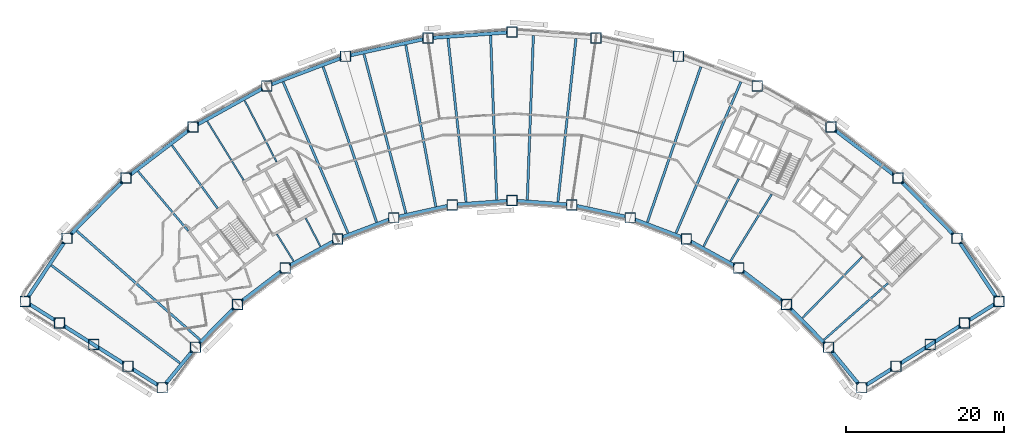
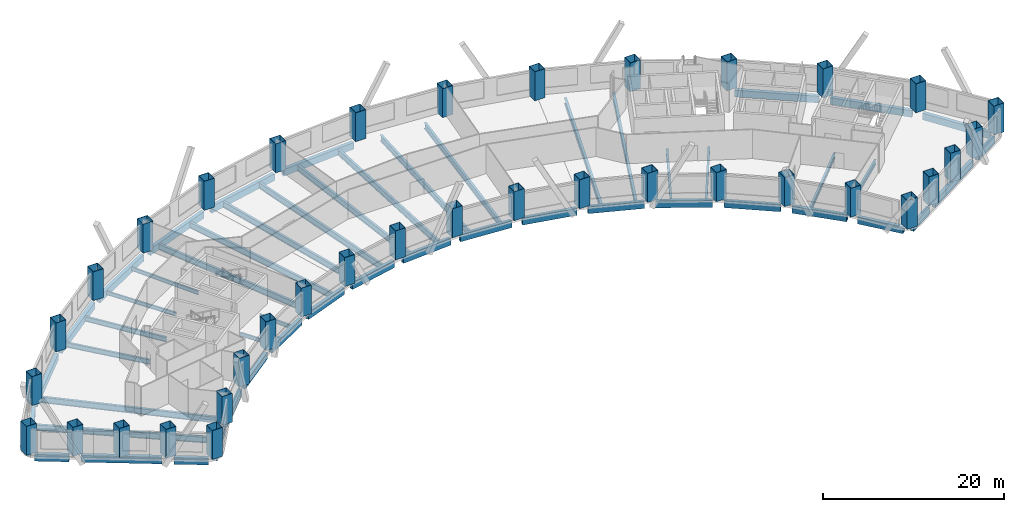
# One storey, part 1 of 11: 52 beams, 36 columns.
"""IFC4 building model written with IfcOpenShell, lengths in metres."""

import ifcopenshell
import ifcopenshell.guid

model = None  # the IFC model being written
_history = None  # IfcOwnerHistory: only IFC2X3 demands one
_inside = {}  # id of a spatial element -> (the spatial element, [elements in it])
_under = {}  # id of a project, library or spatial element -> (it, [spatial elements below it])
_declared = {}  # id of a project -> (the project, [libraries it declares])
_typed = {}  # id of a type object -> (the type object, [elements of that type])
_made_of = {}  # id of a material, layer set ... -> (it, [elements and type objects made of it])


def new_model(schema):
    """Start an empty IFC model of exactly this schema.

    Asked for "IFC4X3", IfcOpenShell would pick the latest addendum, in which some entities
    have other attributes; the version numbers below select the first issue.
    IFC2X3 requires an IfcOwnerHistory on every rooted entity: one is made here for all.
    """
    global model, _history
    if schema == "IFC4X3":
        model = ifcopenshell.file(schema_version=(4, 3, 0, 0))
    else:
        model = ifcopenshell.file(schema=schema)
    _inside.clear()
    _under.clear()
    _declared.clear()
    _typed.clear()
    _made_of.clear()
    _history = None
    if model.schema == "IFC2X3":
        org = make("IfcOrganization", Name="unknown")
        user = make(
            "IfcPersonAndOrganization",
            ThePerson=make("IfcPerson", FamilyName="unknown"),
            TheOrganization=org,
        )
        app = make(
            "IfcApplication",
            ApplicationDeveloper=org,
            Version="unknown",
            ApplicationFullName="unknown",
            ApplicationIdentifier="unknown",
        )
        _history = make(
            "IfcOwnerHistory",
            OwningUser=user,
            OwningApplication=app,
            ChangeAction="ADDED",
            CreationDate=0,
        )
    return model


def make(cls, **values):
    """One entity of the class cls with the attributes given. An attribute that is None is left unset."""
    return model.create_entity(
        cls, **{name: value for name, value in values.items() if value is not None}
    )


def rooted(cls, **values):
    """An entity with a GlobalId (a new one), such as an element, a storey or a relation."""
    return make(cls, GlobalId=ifcopenshell.guid.new(), OwnerHistory=_history, **values)


def si_unit(unit_type, name, prefix=None):
    """IfcSIUnit, for example si_unit("LENGTHUNIT", "METRE", prefix="MILLI")."""
    return make("IfcSIUnit", UnitType=unit_type, Prefix=prefix, Name=name)


def assignment(units):
    """IfcUnitAssignment: the units of a project."""
    return None if units is None else make("IfcUnitAssignment", Units=units)


def point(xyz):
    """IfcCartesianPoint."""
    return None if xyz is None else make("IfcCartesianPoint", Coordinates=xyz)


def direction(xyz):
    """IfcDirection."""
    return None if xyz is None else make("IfcDirection", DirectionRatios=xyz)


def frame(location, z_axis=None, x_axis=None):
    """IfcAxis2Placement3D, a coordinate frame: its origin and axes. An axis left out is left unset."""
    return make(
        "IfcAxis2Placement3D",
        Location=point(location),
        Axis=direction(z_axis),
        RefDirection=direction(x_axis),
    )


def frame_2d(location, x_axis=None):
    """IfcAxis2Placement2D, a coordinate frame in the plane: its origin and x axis."""
    return make(
        "IfcAxis2Placement2D", Location=point(location), RefDirection=direction(x_axis)
    )


def origin():
    """The frame at (0, 0, 0) with its axes left unset."""
    return frame((0.0, 0.0, 0.0))


def origin_2d():
    """The frame at (0, 0) in the plane with its x axis left unset."""
    return frame_2d((0.0, 0.0))


def place(relative_to, where):
    """IfcLocalPlacement: puts the frame where relative to a parent placement (None: the world)."""
    return make(
        "IfcLocalPlacement", PlacementRelTo=relative_to, RelativePlacement=where
    )


def context(
    kind, dimensions, precision=None, world=None, true_north=None, identifier=None
):
    """IfcGeometricRepresentationContext, for example the 3D "Model" context."""
    return make(
        "IfcGeometricRepresentationContext",
        ContextIdentifier=identifier,
        ContextType=kind,
        CoordinateSpaceDimension=dimensions,
        Precision=precision,
        WorldCoordinateSystem=world,
        TrueNorth=true_north,
    )


def subcontext(parent, identifier, kind, view, scale=None):
    """IfcGeometricRepresentationSubContext, for example "Body" below "Model"."""
    return make(
        "IfcGeometricRepresentationSubContext",
        ContextIdentifier=identifier,
        ContextType=kind,
        ParentContext=parent,
        TargetScale=scale,
        TargetView=view,
    )


def project(units=None, contexts=None):
    """IfcProject with its units and contexts."""
    return rooted(
        "IfcProject",
        Name="project",
        RepresentationContexts=contexts,
        UnitsInContext=assignment(units),
    )


def spatial(cls, under=None, at=None, **own):
    """A site, building, storey or space (cls), placed at a placement, below another one or the project."""
    s = rooted(cls, ObjectPlacement=at, **own)
    if under is not None:
        _under.setdefault(under.id(), (under, []))[1].append(s)
    return s


def profile(cls, at=None, kind="AREA", **sizes):
    """A parametric profile (cls). Its sizes go by their IFC names, for example OverallWidth=200.0."""
    return make(cls, ProfileType=kind, Position=at, **sizes)


def hollow_rectangle(**sizes):
    """IfcRectangleHollowProfileDef."""
    return profile("IfcRectangleHollowProfileDef", **sizes)


def i_section(**sizes):
    """IfcIShapeProfileDef."""
    return profile("IfcIShapeProfileDef", **sizes)


def extrude(swept, where, along, depth):
    """IfcExtrudedAreaSolid: the profile swept, set in the frame where, extruded along a direction by depth."""
    return make(
        "IfcExtrudedAreaSolid",
        SweptArea=swept,
        Position=where,
        ExtrudedDirection=direction(along),
        Depth=depth,
    )


def shape(context_of_items, identifier, shape_type, items):
    """IfcShapeRepresentation: the items that make up one representation, for example the "Body"."""
    return make(
        "IfcShapeRepresentation",
        ContextOfItems=context_of_items,
        RepresentationIdentifier=identifier,
        RepresentationType=shape_type,
        Items=items,
    )


def material(Name=None, Category=None):
    """IfcMaterial."""
    return make("IfcMaterial", Name=Name, Category=Category)


def material_profile(
    of_material, cross_section, Name=None, Category=None, Priority=None
):
    """IfcMaterialProfile: a cross section and its material."""
    return make(
        "IfcMaterialProfile",
        Name=Name,
        Material=of_material,
        Profile=cross_section,
        Priority=Priority,
        Category=Category,
    )


def profile_set(profiles, Name=None, composite=None):
    """IfcMaterialProfileSet."""
    return make(
        "IfcMaterialProfileSet",
        Name=Name,
        MaterialProfiles=profiles,
        CompositeProfile=composite,
    )


def made_of(thing, what):
    """Note that an element or type object is made of a material, layer set ...; save() writes the relation."""
    if what is not None:
        _made_of.setdefault(what.id(), (what, []))[1].append(thing)
    return thing


def type_object(cls, material=None, **own):
    """A type object (cls), such as IfcWallType, which elements share."""
    return made_of(rooted(cls, **own), material)


def element(
    cls,
    number,
    at=None,
    inside=None,
    cuts=None,
    type_object=None,
    material=None,
    context=None,
    identifier="Body",
    shape_type=None,
    held_by="IfcProductDefinitionShape",
    body=None,
    shapes=None,
    **own,
):
    """One element of the class cls, such as IfcWall. Its Tag is "e" and its number.

    at: its placement. inside: the storey or other place that contains it. cuts: it is an
    opening in that element (IfcRelVoidsElement). A single representation is given by context,
    identifier, shape_type and body (its items); several are given by shapes. held_by: the class
    of the entity that holds the representations. save() writes the other relations.
    """
    e = rooted(cls, Tag="e%d" % number, ObjectPlacement=at, **own)
    if body is not None:
        shapes = [shape(context, identifier, shape_type, body)]
    if shapes is not None:
        e.Representation = make(held_by, Representations=shapes)
    if inside is not None:
        _inside.setdefault(inside.id(), (inside, []))[1].append(e)
    if cuts is not None:
        rooted(
            "IfcRelVoidsElement", RelatingBuildingElement=cuts, RelatedOpeningElement=e
        )
    if type_object is not None:
        _typed.setdefault(type_object.id(), (type_object, []))[1].append(e)
    return made_of(e, material)


def aggregate(whole, parts):
    """IfcRelAggregates: a whole, such as a stair, and the parts it consists of."""
    return rooted("IfcRelAggregates", RelatingObject=whole, RelatedObjects=parts)


def save(model, path):
    """Write the relations noted so far, then the file.

    IfcRelAggregates (storeys below a building ...), IfcRelContainedInSpatialStructure (elements
    in a storey), IfcRelDefinesByType, IfcRelAssociatesMaterial and IfcRelDeclares: one each for
    every whole, place, type object, material and project.
    """
    for whole, parts in _under.values():
        aggregate(whole, parts)
    for where, things in _inside.values():
        rooted(
            "IfcRelContainedInSpatialStructure",
            RelatedElements=things,
            RelatingStructure=where,
        )
    for kind, things in _typed.values():
        rooted("IfcRelDefinesByType", RelatedObjects=things, RelatingType=kind)
    for what, things in _made_of.values():
        rooted("IfcRelAssociatesMaterial", RelatedObjects=things, RelatingMaterial=what)
    for by, libraries in _declared.values():
        rooted("IfcRelDeclares", RelatingContext=by, RelatedDefinitions=libraries)
    model.write(path)


model = new_model("IFC4")

# Units and contexts
model_context = context("Model", 3, precision=1e-05, world=origin(), true_north=direction((0.0, 1.0)))
body_context = subcontext(model_context, "Body", "Model", "MODEL_VIEW")
ifc_project = project(units=[si_unit("LENGTHUNIT", "METRE"), si_unit("AREAUNIT", "SQUARE_METRE"), si_unit("VOLUMEUNIT", "CUBIC_METRE"), si_unit("PLANEANGLEUNIT", "RADIAN"), si_unit("MASSUNIT", "GRAM", prefix="KILO")], contexts=[model_context])

# Site, building, storey
site_placement = place(None, origin())
site = spatial("IfcSite", under=ifc_project, at=site_placement, CompositionType="ELEMENT")
building_placement = place(site_placement, origin())
building = spatial("IfcBuilding", under=site, at=building_placement, Name="Tuul Gate Civic Tower", CompositionType="ELEMENT")
storey_placement = place(building_placement, frame((0.0, 0.0, 39.89990234375)))
storey = spatial("IfcBuildingStorey", under=building, at=storey_placement, Name="Level 08", CompositionType="ELEMENT", Elevation=39.89990234375)

# Columns
ifc_material_1 = material(Name="Steel S355", Category="steel")
ifc_material_profile_1 = material_profile(ifc_material_1, hollow_rectangle(XDim=1.300048828125, YDim=1.300048828125, WallThickness=0.0400390625, at=origin_2d()), Name="BOX1300x1300x40")
ifc_profile_set_1 = profile_set([ifc_material_profile_1], Name="Steel S355")
column_type = type_object("IfcColumnType", Name="STR-COLUMN-BOX1300x1300x40", PredefinedType="COLUMN", material=ifc_profile_set_1)
for number, where, z_axis, x_axis, name in (
    (1, (61.6708984375, -20.22998046875, 0.0), (0.0, 0.0, 1.0), (1.0, 0.0, 0.0), "Column"),
    (2, (56.3720703125, -12.217041015625, 0.0), (0.0, 0.0, 1.0), (1.0, 0.0, 0.0), "Column"),
    (3, (48.89794921875, -4.592041015625, 0.0), (0.0, 0.0, 1.0), (1.0, 0.0, 0.0), "Column"),
    (4, (40.402099609375, 1.8759765625, 0.0), (0.0, 0.0, 1.0), (1.0, 0.0, 0.0), "Column"),
    (5, (31.06396484375, 7.052001953125, 0.0), (0.0, 0.0, 1.0), (1.0, 0.0, 0.0), "Column"),
    (6, (21.076904296875, 10.8291015625, 0.0), (0.0, 0.0, 1.0), (1.0, 0.0, 0.0), "Column"),
    (7, (10.64892578125, 13.126953125, 0.0), (0.0, 0.0, 1.0), (1.0, 0.0, 0.0), "Column"),
    (8, (0.0, 13.89794921875, 0.0), (0.0, 0.0, 1.0), (1.0, 0.0, 0.0), "Column"),
    (9, (-10.64892578125, 13.126953125, 0.0), (0.0, 0.0, 1.0), (1.0, 0.0, 0.0), "Column"),
    (10, (-21.076904296875, 10.8291015625, 0.0), (0.0, 0.0, 1.0), (1.0, 0.0, 0.0), "Column"),
    (11, (-31.06396484375, 7.052001953125, 0.0), (0.0, 0.0, 1.0), (1.0, 0.0, 0.0), "Column"),
    (12, (-40.402099609375, 1.8759765625, 0.0), (0.0, 0.0, 1.0), (1.0, 0.0, 0.0), "Column"),
    (13, (-48.89794921875, -4.592041015625, 0.0), (0.0, 0.0, 1.0), (1.0, 0.0, 0.0), "Column"),
    (14, (-56.3720703125, -12.217041015625, 0.0), (0.0, 0.0, 1.0), (1.0, 0.0, 0.0), "Column"),
    (15, (-61.6708984375, -20.22998046875, 0.0), (0.0, 0.0, 1.0), (1.0, 0.0, 0.0), "Column"),
    (16, (-57.327880859375, -22.964111328125, 0.0), (0.0, 0.0, 1.0), (1.0, 0.0, 0.0), "Column"),
    (17, (-52.986083984375, -25.698974609375, 0.0), (0.0, 0.0, 1.0), (1.0, 0.0, 0.0), "Column"),
    (18, (-48.64306640625, -28.43408203125, 0.0), (0.0, 0.0, 1.0), (1.0, 0.0, 0.0), "Column"),
    (19, (-44.301025390625, -31.16796875, 0.0), (0.0, 0.0, 1.0), (1.0, 0.0, 0.0), "Column"),
    (20, (-40.0810546875, -26.02587890625, 0.0), (0.0, 0.0, 1.0), (1.0, 0.0, 0.0), "Column"),
    (21, (-34.76708984375, -20.60498046875, 0.0), (0.0, 0.0, 1.0), (1.0, 0.0, 0.0), "Column"),
    (22, (-28.72705078125, -16.006103515625, 0.0), (0.0, 0.0, 1.0), (1.0, 0.0, 0.0), "Column"),
    (23, (-22.0869140625, -12.324951171875, 0.0), (0.0, 0.0, 1.0), (1.0, 0.0, 0.0), "Column"),
    (24, (-14.986083984375, -9.639892578125, 0.0), (0.0, 0.0, 1.0), (1.0, 0.0, 0.0), "Column"),
    (25, (-7.572021484375, -8.006103515625, 0.0), (0.0, 0.0, 1.0), (1.0, 0.0, 0.0), "Column"),
    (26, (0.0, -7.45703125, 0.0), (0.0, 0.0, 1.0), (1.0, 0.0, 0.0), "Column"),
    (27, (7.572021484375, -8.006103515625, 0.0), (0.0, 0.0, 1.0), (1.0, 0.0, 0.0), "Column"),
    (28, (14.986083984375, -9.639892578125, 0.0), (0.0, 0.0, 1.0), (1.0, 0.0, 0.0), "Column"),
    (29, (22.0869140625, -12.324951171875, 0.0), (0.0, 0.0, 1.0), (1.0, 0.0, 0.0), "Column"),
    (30, (28.72705078125, -16.006103515625, 0.0), (0.0, 0.0, 1.0), (1.0, 0.0, 0.0), "Column"),
    (31, (34.76708984375, -20.60498046875, 0.0), (0.0, 0.0, 1.0), (1.0, 0.0, 0.0), "Column"),
    (32, (40.0810546875, -26.02587890625, 0.0), (0.0, 0.0, 1.0), (1.0, 0.0, 0.0), "Column"),
    (33, (44.301025390625, -31.16796875, 0.0), (0.0, 0.0, 1.0), (1.0, 0.0, 0.0), "Column"),
    (34, (48.64306640625, -28.43408203125, 0.0), (0.0, 0.0, 1.0), (1.0, 0.0, 0.0), "Column"),
    (35, (52.986083984375, -25.698974609375, 0.0), (0.0, 0.0, 1.0), (1.0, 0.0, 0.0), "Column"),
    (36, (57.327880859375, -22.964111328125, 0.0), (0.0, 0.0, 1.0), (1.0, 0.0, 0.0), "Column"),
):
    element("IfcColumn", number, at=place(storey_placement, frame(where, z_axis=z_axis, x_axis=x_axis)), inside=storey, type_object=column_type, Name=name, PredefinedType="COLUMN", context=body_context, shape_type="SweptSolid", body=[
        extrude(hollow_rectangle(XDim=1.300048828125, YDim=1.300048828125, WallThickness=0.0400390625, at=origin_2d()), origin(), (0.0, 0.0, 1.0), 3.900146484375),
    ])

# Beams
ifc_material_2 = material(Name="Steel S355", Category="steel")
ifc_material_profile_2 = material_profile(ifc_material_2, i_section(OverallWidth=0.199951171875, OverallDepth=0.5, WebThickness=0.010009765625, FlangeThickness=0.01611328125, at=origin_2d()), Name="PG500x200x10x16")
ifc_profile_set_2 = profile_set([ifc_material_profile_2], Name="Steel S355")
beam_type_1 = type_object("IfcBeamType", Name="STR-FLOOR BEAM-PG500x200x10x16", PredefinedType="BEAM", material=ifc_profile_set_2)
beam_1_placement = place(storey_placement, frame((-24.271484375, -13.25, -0.5498046875), z_axis=(-0.460753800017, 0.887527991541, 0.0), x_axis=(-0.887527991541, -0.460753800017, 0.0)))
element("IfcBeam", 37, at=beam_1_placement, inside=storey, type_object=beam_type_1, Name="Floor beam", PredefinedType="BEAM", context=body_context, shape_type="SweptSolid", body=[
    extrude(i_section(OverallWidth=0.199951171875, OverallDepth=0.5, WebThickness=0.010009765625, FlangeThickness=0.01611328125, at=origin_2d()), origin(), (0.0, 0.0, 1.0), 4.03076171875),
])
beam_2_placement = place(storey_placement, frame((-29.816162109375, -2.570068359375, -0.5498046875), z_axis=(-0.460796303888, 0.887505924669, 0.0), x_axis=(-0.887505924669, -0.460796303888, 0.0)))
element("IfcBeam", 38, at=beam_2_placement, inside=storey, type_object=beam_type_1, Name="Floor beam", PredefinedType="BEAM", context=body_context, shape_type="SweptSolid", body=[
    extrude(i_section(OverallWidth=0.199951171875, OverallDepth=0.5, WebThickness=0.010009765625, FlangeThickness=0.01611328125, at=origin_2d()), origin(), (0.0, 0.0, 1.0), 8.77392578125),
])
beam_3_placement = place(storey_placement, frame((-27.666015625, -15.132080078125, -0.5498046875), z_axis=(-0.52482658642, 0.851209171818, 0.0), x_axis=(-0.851209171818, -0.52482658642, 0.0)))
element("IfcBeam", 39, at=beam_3_placement, inside=storey, type_object=beam_type_1, Name="Floor beam", PredefinedType="BEAM", context=body_context, shape_type="SweptSolid", body=[
    extrude(i_section(OverallWidth=0.199951171875, OverallDepth=0.5, WebThickness=0.010009765625, FlangeThickness=0.01611328125, at=origin_2d()), origin(), (0.0, 0.0, 1.0), 4.0341796875),
])
beam_4_placement = place(storey_placement, frame((-33.986572265625, -4.881591796875, -0.5498046875), z_axis=(-0.524852775892, 0.851193023725, 0.0), x_axis=(-0.851193023725, -0.524852775892, 0.0)))
element("IfcBeam", 40, at=beam_4_placement, inside=storey, type_object=beam_type_1, Name="Floor beam", PredefinedType="BEAM", context=body_context, shape_type="SweptSolid", body=[
    extrude(i_section(OverallWidth=0.199951171875, OverallDepth=0.5, WebThickness=0.010009765625, FlangeThickness=0.01611328125, at=origin_2d()), origin(), (0.0, 0.0, 1.0), 8.77978515625),
])
ifc_material_3 = material(Name="Steel S355", Category="steel")
ifc_material_profile_3 = material_profile(ifc_material_3, i_section(OverallWidth=0.25, OverallDepth=0.64990234375, WebThickness=0.011962890625, FlangeThickness=0.02001953125, at=origin_2d()), Name="PG650x250x12x20")
ifc_profile_set_3 = profile_set([ifc_material_profile_3], Name="Steel S355")
beam_type_2 = type_object("IfcBeamType", Name="STR-FLOOR BEAM-PG650x250x12x20", PredefinedType="BEAM", material=ifc_profile_set_3)
beam_5_placement = place(storey_placement, frame((39.515625, -25.092041015625, -0.625), z_axis=(0.749453803996, 0.662056640836, 0.0), x_axis=(-0.662056640836, 0.749453803996, 0.0)))
element("IfcBeam", 41, at=beam_5_placement, inside=storey, type_object=beam_type_2, Name="Floor beam", PredefinedType="BEAM", context=body_context, shape_type="SweptSolid", body=[
    extrude(i_section(OverallWidth=0.25, OverallDepth=0.64990234375, WebThickness=0.011962890625, FlangeThickness=0.02001953125, at=origin_2d()), origin(), (0.0, 0.0, 1.0), 10.819091796875),
])
beam_6_placement = place(storey_placement, frame((36.79833984375, -22.320068359375, -0.625), z_axis=(0.69867607041, 0.71543815151, 0.0), x_axis=(-0.71543815151, 0.69867607041, 0.0)))
element("IfcBeam", 42, at=beam_6_placement, inside=storey, type_object=beam_type_2, Name="Floor beam", PredefinedType="BEAM", context=body_context, shape_type="SweptSolid", body=[
    extrude(i_section(OverallWidth=0.25, OverallDepth=0.64990234375, WebThickness=0.011962890625, FlangeThickness=0.02001953125, at=origin_2d()), origin(), (0.0, 0.0, 1.0), 10.807373046875),
])
beam_7_placement = place(storey_placement, frame((27.666015625, -15.132080078125, -0.625), z_axis=(0.524860290861, 0.851188389886, 0.0), x_axis=(-0.851188389886, 0.524860290861, 0.0)))
element("IfcBeam", 43, at=beam_7_placement, inside=storey, type_object=beam_type_2, Name="Floor beam", PredefinedType="BEAM", context=body_context, shape_type="SweptSolid", body=[
    extrude(i_section(OverallWidth=0.25, OverallDepth=0.64990234375, WebThickness=0.011962890625, FlangeThickness=0.02001953125, at=origin_2d()), origin(), (0.0, 0.0, 1.0), 9.960693359375),
])
beam_8_placement = place(storey_placement, frame((24.271484375, -13.25, -0.625), z_axis=(0.460769194318, 0.887519999531, 0.0), x_axis=(-0.887519999531, 0.460769194318, 0.0)))
element("IfcBeam", 44, at=beam_8_placement, inside=storey, type_object=beam_type_2, Name="Floor beam", PredefinedType="BEAM", context=body_context, shape_type="SweptSolid", body=[
    extrude(i_section(OverallWidth=0.25, OverallDepth=0.64990234375, WebThickness=0.011962890625, FlangeThickness=0.02001953125, at=origin_2d()), origin(), (0.0, 0.0, 1.0), 9.631103515625),
])
beam_9_placement = place(storey_placement, frame((-37.289794921875, -8.447265625, -0.625), z_axis=(-0.586084828099, 0.810249698717, 0.0), x_axis=(-0.810249698717, -0.586084828099, 0.0)))
element("IfcBeam", 45, at=beam_9_placement, inside=storey, type_object=beam_type_2, Name="Floor beam", PredefinedType="BEAM", context=body_context, shape_type="SweptSolid", body=[
    extrude(i_section(OverallWidth=0.25, OverallDepth=0.64990234375, WebThickness=0.011962890625, FlangeThickness=0.02001953125, at=origin_2d()), origin(), (0.0, 0.0, 1.0), 9.85205078125),
])
beam_10_placement = place(storey_placement, frame((-41.0205078125, -11.28759765625, -0.625), z_axis=(-0.64412583455, 0.764919544308, 0.0), x_axis=(-0.764919544308, -0.64412583455, 0.0)))
element("IfcBeam", 46, at=beam_10_placement, inside=storey, type_object=beam_type_2, Name="Floor beam", PredefinedType="BEAM", context=body_context, shape_type="SweptSolid", body=[
    extrude(i_section(OverallWidth=0.25, OverallDepth=0.64990234375, WebThickness=0.011962890625, FlangeThickness=0.02001953125, at=origin_2d()), origin(), (0.0, 0.0, 1.0), 9.861083984375),
])
ifc_material_4 = material(Name="Steel S355", Category="steel")
ifc_material_profile_4 = material_profile(ifc_material_4, i_section(OverallWidth=0.300048828125, OverallDepth=0.800048828125, WebThickness=0.013916015625, FlangeThickness=0.02490234375, at=origin_2d()), Name="PG800x300x14x25")
ifc_profile_set_4 = profile_set([ifc_material_profile_4], Name="Steel S355")
beam_type_3 = type_object("IfcBeamType", Name="STR-FLOOR BEAM-PG800x300x14x25", PredefinedType="BEAM", material=ifc_profile_set_4)
beam_11_placement = place(storey_placement, frame((20.776611328125, -11.562255859375, -0.699951171875), z_axis=(0.394196672068, 0.91902610612, 0.0), x_axis=(-0.91902610612, 0.394196672068, 0.0)))
element("IfcBeam", 47, at=beam_11_placement, inside=storey, type_object=beam_type_3, Name="Floor beam", PredefinedType="BEAM", context=body_context, shape_type="SweptSolid", body=[
    extrude(i_section(OverallWidth=0.300048828125, OverallDepth=0.800048828125, WebThickness=0.013916015625, FlangeThickness=0.02490234375, at=origin_2d()), origin(), (0.0, 0.0, 1.0), 20.819580078125),
])
beam_12_placement = place(storey_placement, frame((17.146240234375, -10.189453125, -0.699951171875), z_axis=(0.325486974479, 0.945546524209, 0.0), x_axis=(-0.945546524209, 0.325486974479, 0.0)))
element("IfcBeam", 48, at=beam_12_placement, inside=storey, type_object=beam_type_3, Name="Floor beam", PredefinedType="BEAM", context=body_context, shape_type="SweptSolid", body=[
    extrude(i_section(OverallWidth=0.300048828125, OverallDepth=0.800048828125, WebThickness=0.013916015625, FlangeThickness=0.02490234375, at=origin_2d()), origin(), (0.0, 0.0, 1.0), 20.809326171875),
])
beam_13_placement = place(storey_placement, frame((5.811279296875, -7.627685546875, -0.699951171875), z_axis=(0.110288630292, 0.993899601584, 0.0), x_axis=(-0.993899601584, 0.110288630292, 0.0)))
element("IfcBeam", 49, at=beam_13_placement, inside=storey, type_object=beam_type_3, Name="Floor beam", PredefinedType="BEAM", context=body_context, shape_type="SweptSolid", body=[
    extrude(i_section(OverallWidth=0.300048828125, OverallDepth=0.800048828125, WebThickness=0.013916015625, FlangeThickness=0.02490234375, at=origin_2d()), origin(), (0.0, 0.0, 1.0), 20.81494140625),
])
for number, where, z_axis, x_axis, name in (
    (50, (1.9404296875, -7.346923828125, -0.699951171875), (0.036822059508, 0.999321838015, 0.0), (-0.999321838015, 0.036822059508, 0.0), "Floor beam"),
    (51, (-1.9404296875, -7.346923828125, -0.699951171875), (-0.036822059508, 0.999321838015, 0.0), (-0.999321838015, -0.036822059508, 0.0), "Floor beam"),
):
    element("IfcBeam", number, at=place(storey_placement, frame(where, z_axis=z_axis, x_axis=x_axis)), inside=storey, type_object=beam_type_3, Name=name, PredefinedType="BEAM", context=body_context, shape_type="SweptSolid", body=[
        extrude(i_section(OverallWidth=0.300048828125, OverallDepth=0.800048828125, WebThickness=0.013916015625, FlangeThickness=0.02490234375, at=origin_2d()), origin(), (0.0, 0.0, 1.0), 20.8125),
    ])
beam_14_placement = place(storey_placement, frame((-5.811279296875, -7.627685546875, -0.699951171875), z_axis=(-0.110288630292, 0.993899601584, 0.0), x_axis=(-0.993899601584, -0.110288630292, 0.0)))
element("IfcBeam", 52, at=beam_14_placement, inside=storey, type_object=beam_type_3, Name="Floor beam", PredefinedType="BEAM", context=body_context, shape_type="SweptSolid", body=[
    extrude(i_section(OverallWidth=0.300048828125, OverallDepth=0.800048828125, WebThickness=0.013916015625, FlangeThickness=0.02490234375, at=origin_2d()), origin(), (0.0, 0.0, 1.0), 20.81494140625),
])
beam_15_placement = place(storey_placement, frame((-9.6484375, -8.207763671875, -0.699951171875), z_axis=(-0.183147342328, 0.98308547492, 0.0), x_axis=(-0.98308547492, -0.183147342328, 0.0)))
element("IfcBeam", 53, at=beam_15_placement, inside=storey, type_object=beam_type_3, Name="Floor beam", PredefinedType="BEAM", context=body_context, shape_type="SweptSolid", body=[
    extrude(i_section(OverallWidth=0.300048828125, OverallDepth=0.800048828125, WebThickness=0.013916015625, FlangeThickness=0.02490234375, at=origin_2d()), origin(), (0.0, 0.0, 1.0), 20.811279296875),
])
beam_16_placement = place(storey_placement, frame((-13.438720703125, -9.04296875, -0.699951171875), z_axis=(-0.255004720301, 0.96693980817, 0.0), x_axis=(-0.96693980817, -0.255004720301, 0.0)))
element("IfcBeam", 54, at=beam_16_placement, inside=storey, type_object=beam_type_3, Name="Floor beam", PredefinedType="BEAM", context=body_context, shape_type="SweptSolid", body=[
    extrude(i_section(OverallWidth=0.300048828125, OverallDepth=0.800048828125, WebThickness=0.013916015625, FlangeThickness=0.02490234375, at=origin_2d()), origin(), (0.0, 0.0, 1.0), 20.817626953125),
])
beam_17_placement = place(storey_placement, frame((-17.146240234375, -10.189453125, -0.699951171875), z_axis=(-0.325486974479, 0.945546524209, 0.0), x_axis=(-0.945546524209, -0.325486974479, 0.0)))
element("IfcBeam", 55, at=beam_17_placement, inside=storey, type_object=beam_type_3, Name="Floor beam", PredefinedType="BEAM", context=body_context, shape_type="SweptSolid", body=[
    extrude(i_section(OverallWidth=0.300048828125, OverallDepth=0.800048828125, WebThickness=0.013916015625, FlangeThickness=0.02490234375, at=origin_2d()), origin(), (0.0, 0.0, 1.0), 20.809326171875),
])
beam_18_placement = place(storey_placement, frame((-20.776611328125, -11.562255859375, -0.699951171875), z_axis=(-0.394196672068, 0.91902610612, 0.0), x_axis=(-0.91902610612, -0.394196672068, 0.0)))
element("IfcBeam", 56, at=beam_18_placement, inside=storey, type_object=beam_type_3, Name="Floor beam", PredefinedType="BEAM", context=body_context, shape_type="SweptSolid", body=[
    extrude(i_section(OverallWidth=0.300048828125, OverallDepth=0.800048828125, WebThickness=0.013916015625, FlangeThickness=0.02490234375, at=origin_2d()), origin(), (0.0, 0.0, 1.0), 20.819580078125),
])
beam_19_placement = place(storey_placement, frame((-39.515625, -25.092041015625, -0.699951171875), z_axis=(-0.749453243269, 0.662057275584, 0.0), x_axis=(-0.662057275584, -0.749453243269, 0.0)))
element("IfcBeam", 57, at=beam_19_placement, inside=storey, type_object=beam_type_3, Name="Floor beam", PredefinedType="BEAM", context=body_context, shape_type="SweptSolid", body=[
    extrude(i_section(OverallWidth=0.300048828125, OverallDepth=0.800048828125, WebThickness=0.013916015625, FlangeThickness=0.02490234375, at=origin_2d()), origin(), (0.0, 0.0, 1.0), 20.828369140625),
])
beam_20_placement = place(storey_placement, frame((-42.0546875, -28.036865234375, -0.699951171875), z_axis=(-0.796150928405, 0.60509809056, 0.0), x_axis=(-0.60509809056, -0.796150928405, 0.0)))
element("IfcBeam", 58, at=beam_20_placement, inside=storey, type_object=beam_type_3, Name="Floor beam", PredefinedType="BEAM", context=body_context, shape_type="SweptSolid", body=[
    extrude(i_section(OverallWidth=0.300048828125, OverallDepth=0.800048828125, WebThickness=0.013916015625, FlangeThickness=0.02490234375, at=origin_2d()), origin(), (0.0, 0.0, 1.0), 20.462646484375),
])
ifc_material_5 = material(Name="Steel S355", Category="steel")
ifc_material_profile_5 = material_profile(ifc_material_5, hollow_rectangle(XDim=0.449951171875, YDim=0.89990234375, WallThickness=0.02490234375, at=origin_2d()), Name="BOX900x450x25")
ifc_profile_set_5 = profile_set([ifc_material_profile_5], Name="Steel S355")
beam_type_4 = type_object("IfcBeamType", Name="STR-SPANDREL BEAM-BOX900x450x25", PredefinedType="BEAM", material=ifc_profile_set_5)
beam_21_placement = place(storey_placement, frame((61.3125, -19.687744140625, -0.75), z_axis=(-0.551617087086, 0.834097469865, 0.0), x_axis=(-0.834097469865, -0.551617087086, 0.0)))
element("IfcBeam", 59, at=beam_21_placement, inside=storey, type_object=beam_type_4, Name="Spandrel beam", PredefinedType="BEAM", context=body_context, shape_type="SweptSolid", body=[
    extrude(hollow_rectangle(XDim=0.449951171875, YDim=0.89990234375, WallThickness=0.02490234375, at=origin_2d()), origin(), (0.0, 0.0, 1.0), 8.306640625),
])
beam_22_placement = place(storey_placement, frame((55.9169921875, -11.752685546875, -0.75), z_axis=(-0.700002686238, 0.714140209805, 0.0), x_axis=(-0.714140209805, -0.700002686238, 0.0)))
element("IfcBeam", 60, at=beam_22_placement, inside=storey, type_object=beam_type_4, Name="Spandrel beam", PredefinedType="BEAM", context=body_context, shape_type="SweptSolid", body=[
    extrude(hollow_rectangle(XDim=0.449951171875, YDim=0.89990234375, WallThickness=0.02490234375, at=origin_2d()), origin(), (0.0, 0.0, 1.0), 9.376953125),
])
beam_23_placement = place(storey_placement, frame((48.380859375, -4.1982421875, -0.75), z_axis=(-0.795671303352, 0.605728633154, 0.0), x_axis=(-0.605728633154, -0.795671303352, 0.0)))
element("IfcBeam", 61, at=beam_23_placement, inside=storey, type_object=beam_type_4, Name="Spandrel beam", PredefinedType="BEAM", context=body_context, shape_type="SweptSolid", body=[
    extrude(hollow_rectangle(XDim=0.449951171875, YDim=0.89990234375, WallThickness=0.02490234375, at=origin_2d()), origin(), (0.0, 0.0, 1.0), 9.3779296875),
])
beam_24_placement = place(storey_placement, frame((-0.648193359375, 13.85107421875, -0.75), z_axis=(-0.997388439542, -0.072223961869, 0.0), x_axis=(0.072223961869, -0.997388439542, 0.0)))
element("IfcBeam", 62, at=beam_24_placement, inside=storey, type_object=beam_type_4, Name="Spandrel beam", PredefinedType="BEAM", context=body_context, shape_type="SweptSolid", body=[
    extrude(hollow_rectangle(XDim=0.449951171875, YDim=0.89990234375, WallThickness=0.02490234375, at=origin_2d()), origin(), (0.0, 0.0, 1.0), 9.376953125),
])
beam_25_placement = place(storey_placement, frame((-11.28369140625, 12.987060546875, -0.75), z_axis=(-0.976572630495, -0.215188051174, 0.0), x_axis=(0.215188051174, -0.976572630495, 0.0)))
element("IfcBeam", 63, at=beam_25_placement, inside=storey, type_object=beam_type_4, Name="Spandrel beam", PredefinedType="BEAM", context=body_context, shape_type="SweptSolid", body=[
    extrude(hollow_rectangle(XDim=0.449951171875, YDim=0.89990234375, WallThickness=0.02490234375, at=origin_2d()), origin(), (0.0, 0.0, 1.0), 9.378173828125),
])
beam_26_placement = place(storey_placement, frame((-21.68505859375, 10.59912109375, -0.75), z_axis=(-0.935343306637, -0.353741287849, 0.0), x_axis=(0.353741287849, -0.935343306637, 0.0)))
element("IfcBeam", 64, at=beam_26_placement, inside=storey, type_object=beam_type_4, Name="Spandrel beam", PredefinedType="BEAM", context=body_context, shape_type="SweptSolid", body=[
    extrude(hollow_rectangle(XDim=0.449951171875, YDim=0.89990234375, WallThickness=0.02490234375, at=origin_2d()), origin(), (0.0, 0.0, 1.0), 9.377197265625),
])
beam_27_placement = place(storey_placement, frame((-31.632568359375, 6.73681640625, -0.75), z_axis=(-0.874628488078, -0.484793778676, 0.0), x_axis=(0.484793778676, -0.874628488078, 0.0)))
element("IfcBeam", 65, at=beam_27_placement, inside=storey, type_object=beam_type_4, Name="Spandrel beam", PredefinedType="BEAM", context=body_context, shape_type="SweptSolid", body=[
    extrude(hollow_rectangle(XDim=0.449951171875, YDim=0.89990234375, WallThickness=0.02490234375, at=origin_2d()), origin(), (0.0, 0.0, 1.0), 9.37646484375),
])
beam_28_placement = place(storey_placement, frame((-40.919189453125, 1.482177734375, -0.75), z_axis=(-0.795671303352, -0.605728633154, 0.0), x_axis=(0.605728633154, -0.795671303352, 0.0)))
element("IfcBeam", 66, at=beam_28_placement, inside=storey, type_object=beam_type_4, Name="Spandrel beam", PredefinedType="BEAM", context=body_context, shape_type="SweptSolid", body=[
    extrude(hollow_rectangle(XDim=0.449951171875, YDim=0.89990234375, WallThickness=0.02490234375, at=origin_2d()), origin(), (0.0, 0.0, 1.0), 9.3779296875),
])
beam_29_placement = place(storey_placement, frame((-49.35302734375, -5.05615234375, -0.75), z_axis=(-0.700002686238, -0.714140209805, 0.0), x_axis=(0.714140209805, -0.700002686238, 0.0)))
element("IfcBeam", 67, at=beam_29_placement, inside=storey, type_object=beam_type_4, Name="Spandrel beam", PredefinedType="BEAM", context=body_context, shape_type="SweptSolid", body=[
    extrude(hollow_rectangle(XDim=0.449951171875, YDim=0.89990234375, WallThickness=0.02490234375, at=origin_2d()), origin(), (0.0, 0.0, 1.0), 9.376953125),
])
beam_30_placement = place(storey_placement, frame((-56.73046875, -12.75927734375, -0.75), z_axis=(-0.551617087086, -0.834097469865, 0.0), x_axis=(0.834097469865, -0.551617087086, 0.0)))
element("IfcBeam", 68, at=beam_30_placement, inside=storey, type_object=beam_type_4, Name="Spandrel beam", PredefinedType="BEAM", context=body_context, shape_type="SweptSolid", body=[
    extrude(hollow_rectangle(XDim=0.449951171875, YDim=0.89990234375, WallThickness=0.02490234375, at=origin_2d()), origin(), (0.0, 0.0, 1.0), 8.306640625),
])
beam_31_placement = place(storey_placement, frame((-61.120849609375, -20.576171875, -0.75), z_axis=(0.84625411926, -0.53277947186, 0.0), x_axis=(0.53277947186, 0.84625411926, 0.0)))
element("IfcBeam", 69, at=beam_31_placement, inside=storey, type_object=beam_type_4, Name="Spandrel beam", PredefinedType="BEAM", context=body_context, shape_type="SweptSolid", body=[
    extrude(hollow_rectangle(XDim=0.449951171875, YDim=0.89990234375, WallThickness=0.02490234375, at=origin_2d()), origin(), (0.0, 0.0, 1.0), 3.831787109375),
])
beam_32_placement = place(storey_placement, frame((-56.778076171875, -23.310302734375, -0.75), z_axis=(0.846150963227, -0.532943287255, 0.0), x_axis=(0.532943287255, 0.846150963227, 0.0)))
element("IfcBeam", 70, at=beam_32_placement, inside=storey, type_object=beam_type_4, Name="Spandrel beam", PredefinedType="BEAM", context=body_context, shape_type="SweptSolid", body=[
    extrude(hollow_rectangle(XDim=0.449951171875, YDim=0.89990234375, WallThickness=0.02490234375, at=origin_2d()), origin(), (0.0, 0.0, 1.0), 8.964111328125),
])
beam_33_placement = place(storey_placement, frame((-48.093017578125, -28.7802734375, -0.75), z_axis=(0.846199849372, -0.532865663111, 0.0), x_axis=(0.532865663111, 0.846199849372, 0.0)))
element("IfcBeam", 71, at=beam_33_placement, inside=storey, type_object=beam_type_4, Name="Spandrel beam", PredefinedType="BEAM", context=body_context, shape_type="SweptSolid", body=[
    extrude(hollow_rectangle(XDim=0.449951171875, YDim=0.89990234375, WallThickness=0.02490234375, at=origin_2d()), origin(), (0.0, 0.0, 1.0), 3.831298828125),
])
beam_34_placement = place(storey_placement, frame((-43.888671875, -30.66552734375, -0.75), z_axis=(0.634409581781, 0.772997077966, 0.0), x_axis=(-0.772997077966, 0.634409581781, 0.0)))
element("IfcBeam", 72, at=beam_34_placement, inside=storey, type_object=beam_type_4, Name="Spandrel beam", PredefinedType="BEAM", context=body_context, shape_type="SweptSolid", body=[
    extrude(hollow_rectangle(XDim=0.449951171875, YDim=0.89990234375, WallThickness=0.02490234375, at=origin_2d()), origin(), (0.0, 0.0, 1.0), 5.351806640625),
])
beam_35_placement = place(storey_placement, frame((-39.6259765625, -25.561767578125, -0.75), z_axis=(0.700028343012, 0.714115060043, 0.0), x_axis=(-0.714115060043, 0.700028343012, 0.0)))
element("IfcBeam", 73, at=beam_35_placement, inside=storey, type_object=beam_type_4, Name="Spandrel beam", PredefinedType="BEAM", context=body_context, shape_type="SweptSolid", body=[
    extrude(hollow_rectangle(XDim=0.449951171875, YDim=0.89990234375, WallThickness=0.02490234375, at=origin_2d()), origin(), (0.0, 0.0, 1.0), 6.291259765625),
])
beam_36_placement = place(storey_placement, frame((-34.249755859375, -20.211181640625, -0.75), z_axis=(0.795606278915, 0.605814038259, 0.0), x_axis=(-0.605814038259, 0.795606278915, 0.0)))
element("IfcBeam", 74, at=beam_36_placement, inside=storey, type_object=beam_type_4, Name="Spandrel beam", PredefinedType="BEAM", context=body_context, shape_type="SweptSolid", body=[
    extrude(hollow_rectangle(XDim=0.449951171875, YDim=0.89990234375, WallThickness=0.02490234375, at=origin_2d()), origin(), (0.0, 0.0, 1.0), 6.29150390625),
])
beam_37_placement = place(storey_placement, frame((-28.158447265625, -15.69091796875, -0.75), z_axis=(0.874588873098, 0.484865242158, 0.0), x_axis=(-0.484865242158, 0.874588873098, 0.0)))
element("IfcBeam", 75, at=beam_37_placement, inside=storey, type_object=beam_type_4, Name="Spandrel beam", PredefinedType="BEAM", context=body_context, shape_type="SweptSolid", body=[
    extrude(hollow_rectangle(XDim=0.449951171875, YDim=0.89990234375, WallThickness=0.02490234375, at=origin_2d()), origin(), (0.0, 0.0, 1.0), 6.2919921875),
])
beam_38_placement = place(storey_placement, frame((-21.47900390625, -12.09521484375, -0.75), z_axis=(0.93536086851, 0.353694848225, 0.0), x_axis=(-0.353694848225, 0.93536086851, 0.0)))
element("IfcBeam", 76, at=beam_38_placement, inside=storey, type_object=beam_type_4, Name="Spandrel beam", PredefinedType="BEAM", context=body_context, shape_type="SweptSolid", body=[
    extrude(hollow_rectangle(XDim=0.449951171875, YDim=0.89990234375, WallThickness=0.02490234375, at=origin_2d()), origin(), (0.0, 0.0, 1.0), 6.291748046875),
])
beam_39_placement = place(storey_placement, frame((-14.351318359375, -9.5, -0.75), z_axis=(0.976570802394, 0.215196347349, 0.0), x_axis=(-0.215196347349, 0.976570802394, 0.0)))
element("IfcBeam", 77, at=beam_39_placement, inside=storey, type_object=beam_type_4, Name="Spandrel beam", PredefinedType="BEAM", context=body_context, shape_type="SweptSolid", body=[
    extrude(hollow_rectangle(XDim=0.449951171875, YDim=0.89990234375, WallThickness=0.02490234375, at=origin_2d()), origin(), (0.0, 0.0, 1.0), 6.2919921875),
])
for number, where, z_axis, x_axis, name in (
    (78, (-6.923583984375, -7.958984375, -0.75), (0.997380902931, 0.072327964638, 0.0), (-0.072327964638, 0.997380902931, 0.0), "Spandrel beam"),
    (79, (0.648193359375, -7.50390625, -0.75), (0.997380902931, -0.072327964638, 0.0), (0.072327964638, 0.997380902931, 0.0), "Spandrel beam"),
):
    element("IfcBeam", number, at=place(storey_placement, frame(where, z_axis=z_axis, x_axis=x_axis)), inside=storey, type_object=beam_type_4, Name=name, PredefinedType="BEAM", context=body_context, shape_type="SweptSolid", body=[
        extrude(hollow_rectangle(XDim=0.449951171875, YDim=0.89990234375, WallThickness=0.02490234375, at=origin_2d()), origin(), (0.0, 0.0, 1.0), 6.291748046875),
    ])
beam_40_placement = place(storey_placement, frame((8.206787109375, -8.14599609375, -0.75), z_axis=(0.976570802394, -0.215196347349, 0.0), x_axis=(0.215196347349, 0.976570802394, 0.0)))
element("IfcBeam", 80, at=beam_40_placement, inside=storey, type_object=beam_type_4, Name="Spandrel beam", PredefinedType="BEAM", context=body_context, shape_type="SweptSolid", body=[
    extrude(hollow_rectangle(XDim=0.449951171875, YDim=0.89990234375, WallThickness=0.02490234375, at=origin_2d()), origin(), (0.0, 0.0, 1.0), 6.2919921875),
])
beam_41_placement = place(storey_placement, frame((15.593994140625, -9.869873046875, -0.75), z_axis=(0.93536086851, -0.353694848225, 0.0), x_axis=(0.353694848225, 0.93536086851, 0.0)))
element("IfcBeam", 81, at=beam_41_placement, inside=storey, type_object=beam_type_4, Name="Spandrel beam", PredefinedType="BEAM", context=body_context, shape_type="SweptSolid", body=[
    extrude(hollow_rectangle(XDim=0.449951171875, YDim=0.89990234375, WallThickness=0.02490234375, at=origin_2d()), origin(), (0.0, 0.0, 1.0), 6.291748046875),
])
beam_42_placement = place(storey_placement, frame((22.655517578125, -12.64013671875, -0.75), z_axis=(0.874588873098, -0.484865242158, 0.0), x_axis=(0.484865242158, 0.874588873098, 0.0)))
element("IfcBeam", 82, at=beam_42_placement, inside=storey, type_object=beam_type_4, Name="Spandrel beam", PredefinedType="BEAM", context=body_context, shape_type="SweptSolid", body=[
    extrude(hollow_rectangle(XDim=0.449951171875, YDim=0.89990234375, WallThickness=0.02490234375, at=origin_2d()), origin(), (0.0, 0.0, 1.0), 6.2919921875),
])
beam_43_placement = place(storey_placement, frame((29.244140625, -16.399658203125, -0.75), z_axis=(0.795606278915, -0.605814038259, 0.0), x_axis=(0.605814038259, 0.795606278915, 0.0)))
element("IfcBeam", 83, at=beam_43_placement, inside=storey, type_object=beam_type_4, Name="Spandrel beam", PredefinedType="BEAM", context=body_context, shape_type="SweptSolid", body=[
    extrude(hollow_rectangle(XDim=0.449951171875, YDim=0.89990234375, WallThickness=0.02490234375, at=origin_2d()), origin(), (0.0, 0.0, 1.0), 6.29150390625),
])
beam_44_placement = place(storey_placement, frame((35.221923828125, -21.069091796875, -0.75), z_axis=(0.700028343012, -0.714115060043, 0.0), x_axis=(0.714115060043, 0.700028343012, 0.0)))
element("IfcBeam", 84, at=beam_44_placement, inside=storey, type_object=beam_type_4, Name="Spandrel beam", PredefinedType="BEAM", context=body_context, shape_type="SweptSolid", body=[
    extrude(hollow_rectangle(XDim=0.449951171875, YDim=0.89990234375, WallThickness=0.02490234375, at=origin_2d()), origin(), (0.0, 0.0, 1.0), 6.291259765625),
])
beam_45_placement = place(storey_placement, frame((40.493408203125, -26.528564453125, -0.75), z_axis=(0.634409581781, -0.772997077966, 0.0), x_axis=(0.772997077966, 0.634409581781, 0.0)))
element("IfcBeam", 85, at=beam_45_placement, inside=storey, type_object=beam_type_4, Name="Spandrel beam", PredefinedType="BEAM", context=body_context, shape_type="SweptSolid", body=[
    extrude(hollow_rectangle(XDim=0.449951171875, YDim=0.89990234375, WallThickness=0.02490234375, at=origin_2d()), origin(), (0.0, 0.0, 1.0), 5.351806640625),
])
beam_46_placement = place(storey_placement, frame((44.85107421875, -30.82177734375, -0.75), z_axis=(0.846199849372, 0.532865663111, 0.0), x_axis=(-0.532865663111, 0.846199849372, 0.0)))
element("IfcBeam", 86, at=beam_46_placement, inside=storey, type_object=beam_type_4, Name="Spandrel beam", PredefinedType="BEAM", context=body_context, shape_type="SweptSolid", body=[
    extrude(hollow_rectangle(XDim=0.449951171875, YDim=0.89990234375, WallThickness=0.02490234375, at=origin_2d()), origin(), (0.0, 0.0, 1.0), 3.831298828125),
])
beam_47_placement = place(storey_placement, frame((49.193115234375, -28.087646484375, -0.75), z_axis=(0.846150963227, 0.532943287255, 0.0), x_axis=(-0.532943287255, 0.846150963227, 0.0)))
element("IfcBeam", 87, at=beam_47_placement, inside=storey, type_object=beam_type_4, Name="Spandrel beam", PredefinedType="BEAM", context=body_context, shape_type="SweptSolid", body=[
    extrude(hollow_rectangle(XDim=0.449951171875, YDim=0.89990234375, WallThickness=0.02490234375, at=origin_2d()), origin(), (0.0, 0.0, 1.0), 8.964111328125),
])
beam_48_placement = place(storey_placement, frame((57.878173828125, -22.61767578125, -0.75), z_axis=(0.84625411926, 0.53277947186, 0.0), x_axis=(-0.53277947186, 0.84625411926, 0.0)))
element("IfcBeam", 88, at=beam_48_placement, inside=storey, type_object=beam_type_4, Name="Spandrel beam", PredefinedType="BEAM", context=body_context, shape_type="SweptSolid", body=[
    extrude(hollow_rectangle(XDim=0.449951171875, YDim=0.89990234375, WallThickness=0.02490234375, at=origin_2d()), origin(), (0.0, 0.0, 1.0), 3.831787109375),
])

save(model, "model.ifc")
